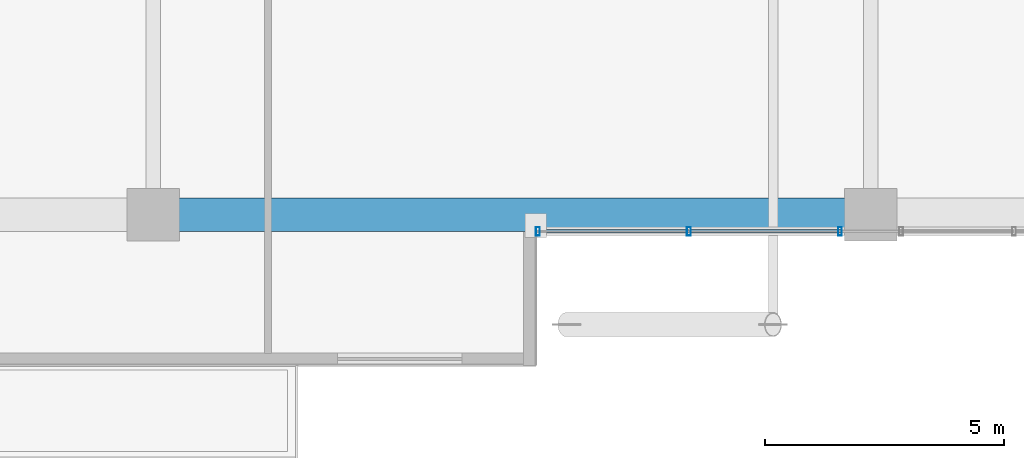
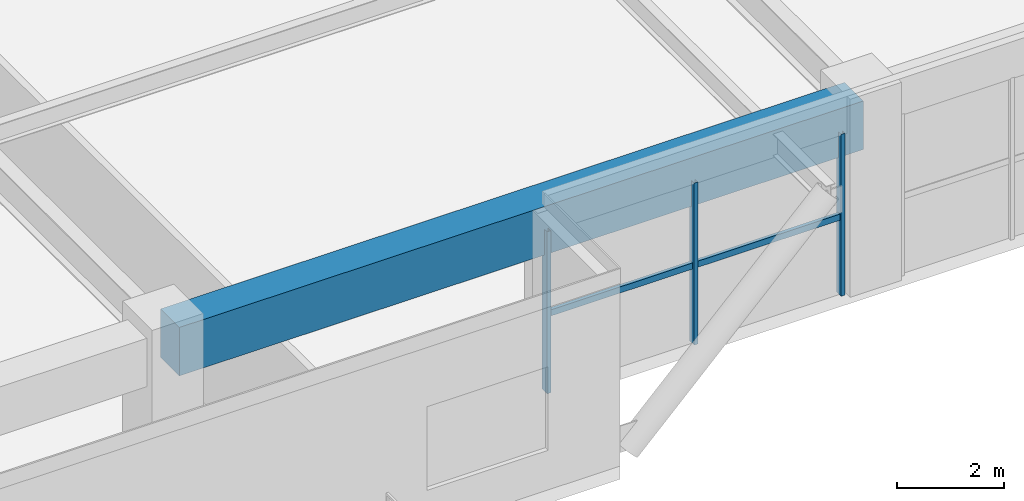
# One storey, part 2 of 24: 5 members, 1 beam, 1 element without a shape of its own.
"""IFC4 building model written with IfcOpenShell, lengths in metres."""

from ifc_helpers import new_model, si_unit, direction, frame, origin, origin_2d, place, context, subcontext, project, spatial, rectangle, hollow_rectangle, extrude, source, transform, mapped, material, material_profile, profile_set, type_object, element, aggregate, save


model = new_model("IFC4")

# Units and contexts
model_context = context("Model", 3, precision=1e-05, world=origin(), true_north=direction((0.0, 1.0)))
body_context = subcontext(model_context, "Body", "Model", "MODEL_VIEW")
ifc_project = project(units=[si_unit("LENGTHUNIT", "METRE"), si_unit("AREAUNIT", "SQUARE_METRE"), si_unit("VOLUMEUNIT", "CUBIC_METRE"), si_unit("PLANEANGLEUNIT", "RADIAN"), si_unit("MASSUNIT", "GRAM", prefix="KILO")], contexts=[model_context])

# Site, building, storey
site_placement = place(None, origin())
site = spatial("IfcSite", under=ifc_project, at=site_placement, CompositionType="ELEMENT")
building_placement = place(site_placement, origin())
building = spatial("IfcBuilding", under=site, at=building_placement, Name="Trelvane Seafront Commons", CompositionType="ELEMENT")
storey_placement = place(building_placement, frame((0.0, 0.0, 9.699951171875)))
storey = spatial("IfcBuildingStorey", under=building, at=storey_placement, Name="L02", CompositionType="ELEMENT", Elevation=9.699951171875)

# Beam
ifc_material_1 = material(Name="Concrete C50/60", Category="concrete")
ifc_material_profile_1 = material_profile(ifc_material_1, rectangle(XDim=0.699951171875, YDim=1.10009765625, at=origin_2d()), Name="RC-700x1100")
ifc_profile_set_1 = profile_set([ifc_material_profile_1], Name="Concrete C50/60")
beam_type = type_object("IfcBeamType", Name="STR-TBM-RC700x1100", PredefinedType="T_BEAM", material=ifc_profile_set_1)
shared_shape_1 = source(origin(), body_context, "Body", "SweptSolid", [
    extrude(rectangle(XDim=0.699951171875, YDim=1.10009765625, at=origin_2d()), origin(), (0.0, 0.0, 1.0), 14.699951171875),
])
beam_placement = place(storey_placement, frame((15.75, 3.949951171875, 3.650146484375), z_axis=(1.0, 0.0, 0.0), x_axis=(0.0, 1.0, 0.0)))
element("IfcBeam", 1, at=beam_placement, inside=storey, type_object=beam_type, Name="L02 Primary Girder G-03", PredefinedType="T_BEAM", context=body_context, shape_type="MappedRepresentation", body=[
    mapped(shared_shape_1, transform((0.0, 0.0, 0.0), x_axis=(1.0, 0.0, 0.0), y_axis=(0.0, 1.0, 0.0), z_axis=(0.0, 0.0, 1.0), scale=1.0)),
])

# Curtain wall, members
ifc_material_2 = material(Name="Anodised pale-silver aluminium", Category="aluminium")
curtain_wall_type = type_object("IfcCurtainWallType", Name="ARCH-CW1-PODIUM", PredefinedType="NOTDEFINED", material=ifc_material_2)
curtain_wall_placement = place(storey_placement, origin())
curtain_wall = element("IfcCurtainWall", 2, at=curtain_wall_placement, inside=storey, type_object=curtain_wall_type, Name="CW-L02-VP-0018", PredefinedType="NOTDEFINED")
ifc_material_profile_2 = material_profile(ifc_material_2, hollow_rectangle(XDim=0.080078125, YDim=0.179931640625, WallThickness=0.00439453125, at=origin_2d()), Name="MULL-80x180x4.5")
ifc_profile_set_2 = profile_set([ifc_material_profile_2], Name="Anodised pale-silver aluminium")
member_type_1 = type_object("IfcMemberType", Name="ARCH-CW-MULL-180", PredefinedType="MULLION", material=ifc_profile_set_2)
shared_shape_2 = source(origin(), body_context, "Body", "SweptSolid", [
    extrude(hollow_rectangle(XDim=0.080078125, YDim=0.179931640625, WallThickness=0.00439453125, at=origin_2d()), origin(), (0.0, 0.0, 1.0), 3.679931640625),
])
member_1_placement = place(storey_placement, frame((29.9599609375, 3.60009765625, 0.0), z_axis=(0.0, 0.0, 1.0), x_axis=(1.0, 0.0, 0.0)))
member_1 = element("IfcMember", 3, at=member_1_placement, type_object=member_type_1, Name="CW-L02-VP-0018-M00", PredefinedType="MULLION", context=body_context, shape_type="MappedRepresentation", body=[
    mapped(shared_shape_2, transform((0.0, 0.0, 0.0), x_axis=(1.0, 0.0, 0.0), y_axis=(0.0, 1.0, 0.0), z_axis=(0.0, 0.0, 1.0), scale=1.0)),
])
member_2_placement = place(storey_placement, frame((26.800048828125, 3.60009765625, 0.0), z_axis=(0.0, 0.0, 1.0), x_axis=(1.0, 0.0, 0.0)))
member_2 = element("IfcMember", 4, at=member_2_placement, type_object=member_type_1, Name="CW-L02-VP-0018-M01", PredefinedType="MULLION", context=body_context, shape_type="MappedRepresentation", body=[
    mapped(shared_shape_2, transform((0.0, 0.0, 0.0), x_axis=(1.0, 0.0, 0.0), y_axis=(0.0, 1.0, 0.0), z_axis=(0.0, 0.0, 1.0), scale=1.0)),
])
member_3_placement = place(storey_placement, frame((23.639892578125, 3.60009765625, 0.0), z_axis=(0.0, 0.0, 1.0), x_axis=(1.0, 0.0, 0.0)))
member_3 = element("IfcMember", 5, at=member_3_placement, type_object=member_type_1, Name="CW-L02-VP-0018-M02", PredefinedType="MULLION", context=body_context, shape_type="MappedRepresentation", body=[
    mapped(shared_shape_2, transform((0.0, 0.0, 0.0), x_axis=(1.0, 0.0, 0.0), y_axis=(0.0, 1.0, 0.0), z_axis=(0.0, 0.0, 1.0), scale=1.0)),
])
ifc_material_profile_3 = material_profile(ifc_material_2, hollow_rectangle(XDim=0.074951171875, YDim=0.139892578125, WallThickness=0.00390625, at=origin_2d()), Name="TRAN-75x140x4")
ifc_profile_set_3 = profile_set([ifc_material_profile_3], Name="Anodised pale-silver aluminium")
member_type_2 = type_object("IfcMemberType", Name="ARCH-CW-TRAN-140", PredefinedType="USERDEFINED", material=ifc_profile_set_3)
shared_shape_3 = source(origin(), body_context, "Body", "SweptSolid", [
    extrude(hollow_rectangle(XDim=0.074951171875, YDim=0.139892578125, WallThickness=0.00390625, at=origin_2d()), origin(), (0.0, 0.0, 1.0), 3.176025390625),
])
member_4_placement = place(storey_placement, frame((29.988037109375, 3.60009765625, 1.76611328125), z_axis=(-1.0, 0.0, 0.0), x_axis=(0.0, -1.0, 0.0)))
member_4 = element("IfcMember", 6, at=member_4_placement, type_object=member_type_2, Name="CW-L02-VP-0018-T00", ObjectType="TRANSOM", PredefinedType="USERDEFINED", context=body_context, shape_type="MappedRepresentation", body=[
    mapped(shared_shape_3, transform((0.0, 0.0, 0.0), x_axis=(1.0, 0.0, 0.0), y_axis=(0.0, 1.0, 0.0), z_axis=(0.0, 0.0, 1.0), scale=1.0)),
])
member_5_placement = place(storey_placement, frame((26.7880859375, 3.60009765625, 1.76611328125), z_axis=(-1.0, 0.0, 0.0), x_axis=(0.0, -1.0, 0.0)))
member_5 = element("IfcMember", 7, at=member_5_placement, type_object=member_type_2, Name="CW-L02-VP-0018-T01", ObjectType="TRANSOM", PredefinedType="USERDEFINED", context=body_context, shape_type="MappedRepresentation", body=[
    mapped(shared_shape_3, transform((0.0, 0.0, 0.0), x_axis=(1.0, 0.0, 0.0), y_axis=(0.0, 1.0, 0.0), z_axis=(0.0, 0.0, 1.0), scale=1.0)),
])
aggregate(curtain_wall, [member_1, member_2, member_3, member_4, member_5])

save(model, "model.ifc")
